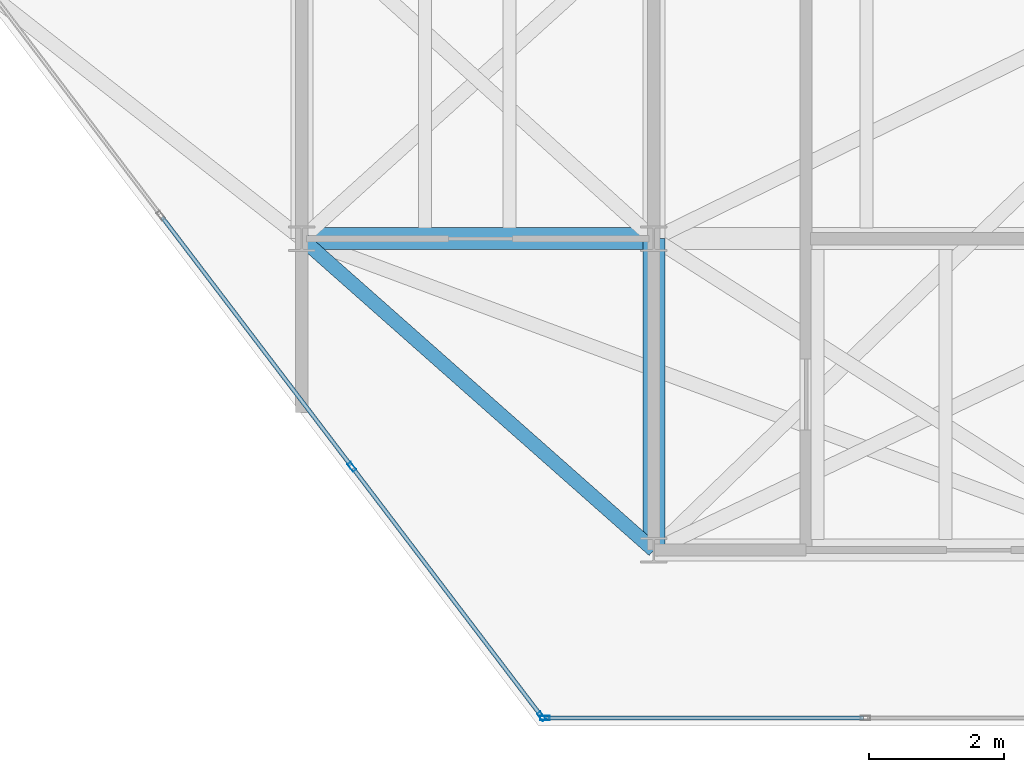
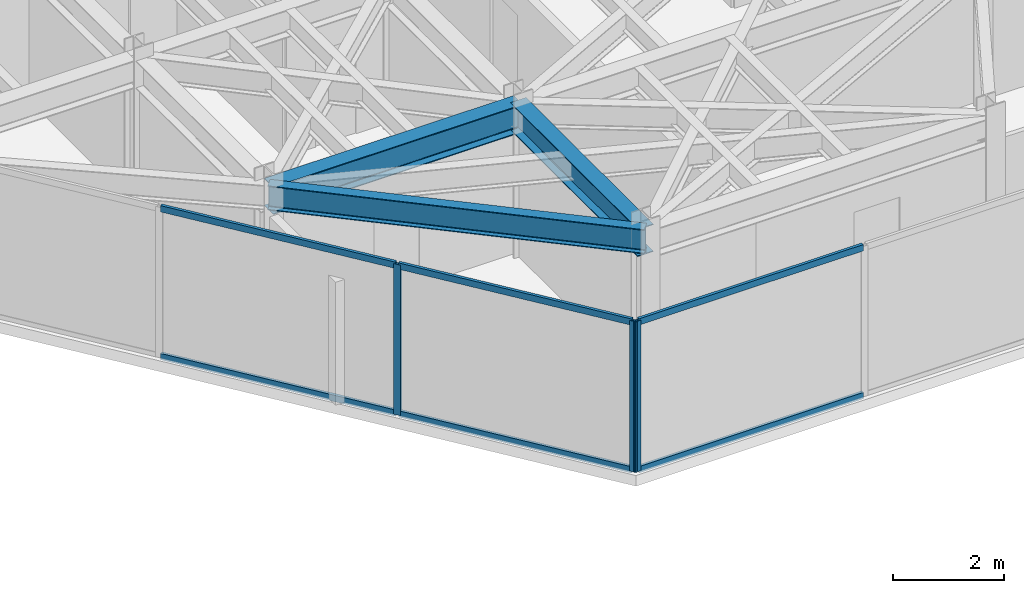
# One storey, part 7 of 16: 9 members, 3 beams, 2 elements without a shape of their own.
"""IFC4 building model written with IfcOpenShell, lengths in metres."""

from ifc_helpers import new_model, si_unit, direction, frame, origin, origin_2d, place, context, subcontext, project, spatial, hollow_rectangle, i_section, extrude, material, layer, layer_set, material_profile, profile_set, type_object, element, aggregate, save


model = new_model("IFC4")

# Units and contexts
model_context = context("Model", 3, precision=1e-05, world=origin(), true_north=direction((0.0, 1.0)))
body_context = subcontext(model_context, "Body", "Model", "MODEL_VIEW")
ifc_project = project(units=[si_unit("LENGTHUNIT", "METRE"), si_unit("AREAUNIT", "SQUARE_METRE"), si_unit("VOLUMEUNIT", "CUBIC_METRE"), si_unit("PLANEANGLEUNIT", "RADIAN"), si_unit("MASSUNIT", "GRAM", prefix="KILO")], contexts=[model_context])

# Site, building, storey
site_placement = place(None, origin())
site = spatial("IfcSite", under=ifc_project, at=site_placement, CompositionType="ELEMENT")
building_placement = place(site_placement, origin())
building = spatial("IfcBuilding", under=site, at=building_placement, Name="Kravanh Interchange Tower", CompositionType="ELEMENT")
storey_placement = place(building_placement, frame((0.0, 0.0, 307.5)))
storey = spatial("IfcBuildingStorey", under=building, at=storey_placement, Name="L76", CompositionType="ELEMENT", Elevation=307.5)

# Curtain wall, member
ifc_material_1 = material(Name="Anodised Bronze Aluminium", Category="aluminium")
ifc_layer = layer(ifc_material_1, 0.179931640625)
ifc_layer_set = layer_set([ifc_layer], Name="Unitised Curtain Wall System CW-HTL Luxury Hotel")
curtain_wall_type = type_object("IfcCurtainWallType", Name="Unitised Curtain Wall System CW-HTL Luxury Hotel", PredefinedType="NOTDEFINED", material=ifc_layer_set)
curtain_wall_1_placement = place(storey_placement, origin())
curtain_wall_1 = element("IfcCurtainWall", 1, at=curtain_wall_1_placement, inside=storey, type_object=curtain_wall_type, Name="L76 Unitised Curtain Wall CW-L76-03", PredefinedType="NOTDEFINED")
ifc_material_2 = material(Name="Anodised Bronze Aluminium", Category="aluminium")
ifc_material_profile_1 = material_profile(ifc_material_2, hollow_rectangle(XDim=0.06005859375, YDim=0.139892578125, WallThickness=0.00390625, at=origin_2d()), Name="ALU60X140X4")
ifc_profile_set_1 = profile_set([ifc_material_profile_1], Name="Anodised Bronze Aluminium")
member_type_1 = type_object("IfcMemberType", Name="Curtain Wall Mullion ALU60X140X4 Bronze", PredefinedType="MULLION", material=ifc_profile_set_1)
member_1_placement = place(storey_placement, frame((54.389404296875, 19.719970703125, 0.0), z_axis=(0.0, 0.0, 1.0), x_axis=(0.0, -1.0, 0.0)))
member_1 = element("IfcMember", 2, at=member_1_placement, type_object=member_type_1, Name="CW-HTL mullion 3", PredefinedType="MULLION", context=body_context, shape_type="SweptSolid", body=[
    extrude(hollow_rectangle(XDim=0.06005859375, YDim=0.139892578125, WallThickness=0.00390625, at=origin_2d()), origin(), (0.0, 0.0, 1.0), 3.320068359375),
])

# Curtain wall, members
curtain_wall_2_placement = place(storey_placement, origin())
curtain_wall_2 = element("IfcCurtainWall", 3, at=curtain_wall_2_placement, inside=storey, type_object=curtain_wall_type, Name="L76 Unitised Curtain Wall CW-L76-04", PredefinedType="NOTDEFINED")
member_2_placement = place(storey_placement, frame((54.34130859375, 19.743896484375, 0.0), z_axis=(0.0, 0.0, 1.0), x_axis=(-0.796161642797, -0.605083992962, 0.0)))
member_2 = element("IfcMember", 4, at=member_2_placement, type_object=member_type_1, Name="CW-HTL mullion 1", PredefinedType="MULLION", context=body_context, shape_type="SweptSolid", body=[
    extrude(hollow_rectangle(XDim=0.06005859375, YDim=0.139892578125, WallThickness=0.00390625, at=origin_2d()), origin(), (0.0, 0.0, 1.0), 3.320068359375),
])
member_3_placement = place(storey_placement, frame((51.53955078125, 23.430419921875, 0.0), z_axis=(0.0, 0.0, 1.0), x_axis=(-0.796161642797, -0.605083992962, 0.0)))
member_3 = element("IfcMember", 5, at=member_3_placement, type_object=member_type_1, Name="CW-HTL mullion 2", PredefinedType="MULLION", context=body_context, shape_type="SweptSolid", body=[
    extrude(hollow_rectangle(XDim=0.06005859375, YDim=0.139892578125, WallThickness=0.00390625, at=origin_2d()), origin(), (0.0, 0.0, 1.0), 3.320068359375),
])

# Member
ifc_material_3 = material(Name="Anodised Bronze Aluminium", Category="aluminium")
ifc_material_profile_2 = material_profile(ifc_material_3, hollow_rectangle(XDim=0.06005859375, YDim=0.139892578125, WallThickness=0.00390625, at=origin_2d()), Name="ALU60X140X4")
ifc_profile_set_2 = profile_set([ifc_material_profile_2], Name="Anodised Bronze Aluminium")
member_type_2 = type_object("IfcMemberType", Name="Curtain Wall Transom ALU60X140X4 Bronze", PredefinedType="USERDEFINED", material=ifc_profile_set_2)
member_4_placement = place(storey_placement, frame((59.096435546875, 19.719970703125, 0.030029296875), z_axis=(-1.0, 0.0, 0.0), x_axis=(0.0, -1.0, 0.0)))
member_4 = element("IfcMember", 6, at=member_4_placement, type_object=member_type_2, Name="CW-HTL transom 2.1", ObjectType="TRANSOM", PredefinedType="USERDEFINED", context=body_context, shape_type="SweptSolid", body=[
    extrude(hollow_rectangle(XDim=0.06005859375, YDim=0.139892578125, WallThickness=0.00390625, at=origin_2d()), origin(), (0.0, 0.0, 1.0), 4.677001953125),
])

member_5_placement = place(storey_placement, frame((59.096435546875, 19.719970703125, 3.2900390625), z_axis=(-1.0, 0.0, 0.0), x_axis=(0.0, -1.0, 0.0)))
member_5 = element("IfcMember", 7, at=member_5_placement, type_object=member_type_2, Name="CW-HTL transom 2.2", ObjectType="TRANSOM", PredefinedType="USERDEFINED", context=body_context, shape_type="SweptSolid", body=[
    extrude(hollow_rectangle(XDim=0.06005859375, YDim=0.139892578125, WallThickness=0.00390625, at=origin_2d()), origin(), (0.0, 0.0, 1.0), 4.677001953125),
])

aggregate(curtain_wall_1, [member_1, member_4, member_5])

member_6_placement = place(storey_placement, frame((54.3232421875, 19.767822265625, 0.030029296875), z_axis=(-0.605081913085, 0.796163223502, 0.0), x_axis=(-0.796163223502, -0.605081913085, 0.0)))
member_6 = element("IfcMember", 8, at=member_6_placement, type_object=member_type_2, Name="CW-HTL transom 1.1", ObjectType="TRANSOM", PredefinedType="USERDEFINED", context=body_context, shape_type="SweptSolid", body=[
    extrude(hollow_rectangle(XDim=0.06005859375, YDim=0.139892578125, WallThickness=0.00390625, at=origin_2d()), origin(), (0.0, 0.0, 1.0), 4.5703125),
])

member_7_placement = place(storey_placement, frame((54.3232421875, 19.767822265625, 3.2900390625), z_axis=(-0.605081913085, 0.796163223502, 0.0), x_axis=(-0.796163223502, -0.605081913085, 0.0)))
member_7 = element("IfcMember", 9, at=member_7_placement, type_object=member_type_2, Name="CW-HTL transom 1.2", ObjectType="TRANSOM", PredefinedType="USERDEFINED", context=body_context, shape_type="SweptSolid", body=[
    extrude(hollow_rectangle(XDim=0.06005859375, YDim=0.139892578125, WallThickness=0.00390625, at=origin_2d()), origin(), (0.0, 0.0, 1.0), 4.5703125),
])

member_8_placement = place(storey_placement, frame((51.521484375, 23.4541015625, 0.030029296875), z_axis=(-0.605065774315, 0.796175488666, 0.0), x_axis=(-0.796175488666, -0.605065774315, 0.0)))
member_8 = element("IfcMember", 10, at=member_8_placement, type_object=member_type_2, Name="CW-HTL transom 2.1", ObjectType="TRANSOM", PredefinedType="USERDEFINED", context=body_context, shape_type="SweptSolid", body=[
    extrude(hollow_rectangle(XDim=0.06005859375, YDim=0.139892578125, WallThickness=0.00390625, at=origin_2d()), origin(), (0.0, 0.0, 1.0), 4.600341796875),
])

member_9_placement = place(storey_placement, frame((51.521484375, 23.4541015625, 3.2900390625), z_axis=(-0.605065774315, 0.796175488666, 0.0), x_axis=(-0.796175488666, -0.605065774315, 0.0)))
member_9 = element("IfcMember", 11, at=member_9_placement, type_object=member_type_2, Name="CW-HTL transom 2.2", ObjectType="TRANSOM", PredefinedType="USERDEFINED", context=body_context, shape_type="SweptSolid", body=[
    extrude(hollow_rectangle(XDim=0.06005859375, YDim=0.139892578125, WallThickness=0.00390625, at=origin_2d()), origin(), (0.0, 0.0, 1.0), 4.600341796875),
])

aggregate(curtain_wall_2, [member_2, member_3, member_6, member_7, member_8, member_9])

# Beams
ifc_material_4 = material(Name="Structural Steel S355", Category="steel")
ifc_material_profile_3 = material_profile(ifc_material_4, i_section(OverallWidth=0.323974609375, OverallDepth=0.611083984375, WebThickness=0.0126953125, FlangeThickness=0.01904296875, FilletRadius=0.02197265625, at=origin_2d()), Name="W24X104")
ifc_profile_set_3 = profile_set([ifc_material_profile_3], Name="Structural Steel S355")
beam_type_1 = type_object("IfcBeamType", Name="Floor Beam W24X104 Structural Steel S355", PredefinedType="BEAM", material=ifc_profile_set_3)
beam_1_placement = place(storey_placement, frame((50.800048828125, 26.800048828125, 3.014404296875), z_axis=(1.0, 0.0, 0.0), x_axis=(0.0, 1.0, 0.0)))
element("IfcBeam", 12, at=beam_1_placement, inside=storey, type_object=beam_type_1, Name="L76 Primary Floor Girder 19", PredefinedType="BEAM", context=body_context, shape_type="SweptSolid", body=[
    extrude(i_section(OverallWidth=0.323974609375, OverallDepth=0.611083984375, WebThickness=0.0126953125, FlangeThickness=0.01904296875, FilletRadius=0.02197265625, at=origin_2d()), origin(), (0.0, 0.0, 1.0), 5.199951171875),
])
beam_2_placement = place(storey_placement, frame((56.0, 26.800048828125, 3.014404296875), z_axis=(0.0, -1.0, 0.0), x_axis=(1.0, 0.0, 0.0)))
element("IfcBeam", 13, at=beam_2_placement, inside=storey, type_object=beam_type_1, Name="L76 Primary Floor Girder 22", PredefinedType="BEAM", context=body_context, shape_type="SweptSolid", body=[
    extrude(i_section(OverallWidth=0.323974609375, OverallDepth=0.611083984375, WebThickness=0.0126953125, FlangeThickness=0.01904296875, FilletRadius=0.02197265625, at=origin_2d()), origin(), (0.0, 0.0, 1.0), 4.60009765625),
])
ifc_material_5 = material(Name="Structural Steel S355", Category="steel")
ifc_material_profile_4 = material_profile(ifc_material_5, i_section(OverallWidth=0.2099609375, OverallDepth=0.537109375, WebThickness=0.010986328125, FlangeThickness=0.017333984375, FilletRadius=0.02001953125, at=origin_2d()), Name="W21X68")
ifc_profile_set_4 = profile_set([ifc_material_profile_4], Name="Structural Steel S355")
beam_type_2 = type_object("IfcBeamType", Name="Floor Spandrel W21X68 Structural Steel S355", PredefinedType="SPANDREL", material=ifc_profile_set_4)
beam_3_placement = place(storey_placement, frame((50.800048828125, 26.800048828125, 3.051513671875), z_axis=(0.74898649432, -0.662585263439, 0.0), x_axis=(0.662585263439, 0.74898649432, 0.0)))
element("IfcBeam", 14, at=beam_3_placement, inside=storey, type_object=beam_type_2, Name="L76 Perimeter Spandrel 20", PredefinedType="SPANDREL", context=body_context, shape_type="SweptSolid", body=[
    extrude(i_section(OverallWidth=0.2099609375, OverallDepth=0.537109375, WebThickness=0.010986328125, FlangeThickness=0.017333984375, FilletRadius=0.02001953125, at=origin_2d()), origin(), (0.0, 0.0, 1.0), 6.942626953125),
])

save(model, "model.ifc")
